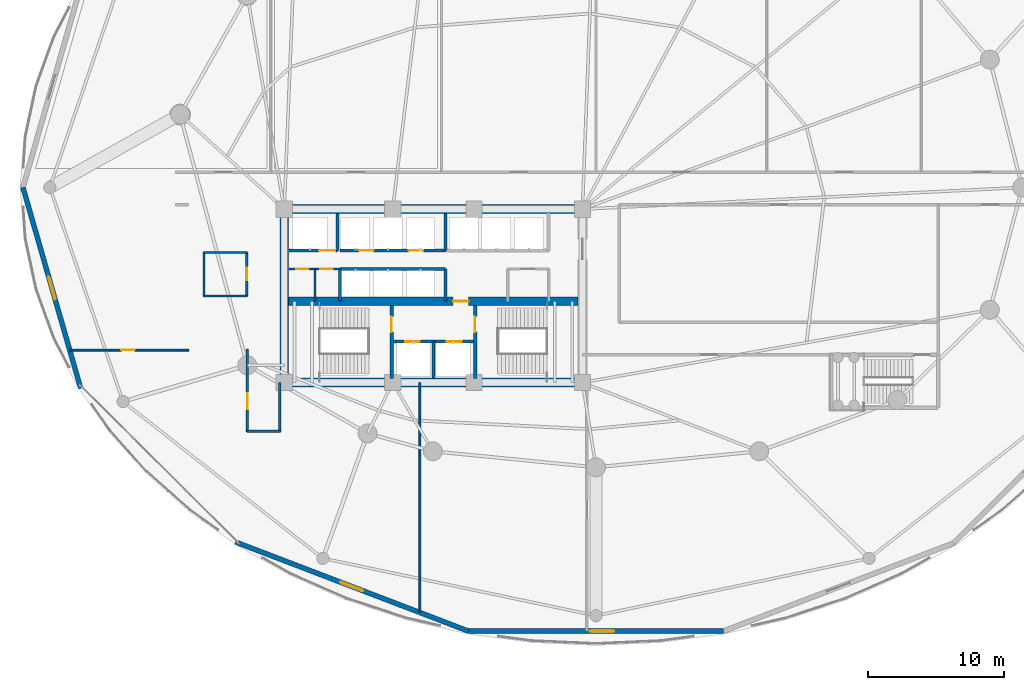
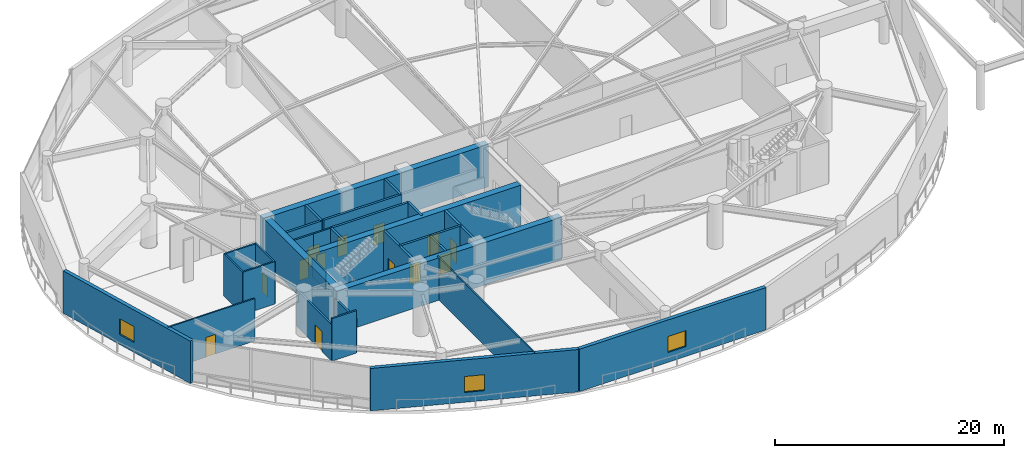
# One storey, part 27 of 36: 30 walls, 13 doors, 3 windows, 16 openings.
"""IFC4 building model written with IfcOpenShell, lengths in metres."""

from ifc_helpers import new_model, si_unit, direction, frame, frame_2d, origin, place, context, subcontext, project, spatial, rectangle, extrude, material, layer, layer_set, type_object, element, fill, save


model = new_model("IFC4")

# Units and contexts
model_context = context("Model", 3, precision=1e-05, world=origin(), true_north=direction((0.0, 1.0)))
body_context = subcontext(model_context, "Body", "Model", "MODEL_VIEW")
ifc_project = project(units=[si_unit("LENGTHUNIT", "METRE"), si_unit("AREAUNIT", "SQUARE_METRE"), si_unit("VOLUMEUNIT", "CUBIC_METRE"), si_unit("PLANEANGLEUNIT", "RADIAN"), si_unit("MASSUNIT", "GRAM", prefix="KILO")], contexts=[model_context])

# Site, building, storey
site_placement = place(None, origin())
site = spatial("IfcSite", under=ifc_project, at=site_placement, CompositionType="ELEMENT")
building_placement = place(site_placement, origin())
building = spatial("IfcBuilding", under=site, at=building_placement, Name="Kazevale Care Tower and Concert Hall", CompositionType="ELEMENT")
storey_placement = place(building_placement, frame((0.0, 0.0, 14.39990234375)))
storey = spatial("IfcBuildingStorey", under=building, at=storey_placement, Name="L03", CompositionType="ELEMENT", Elevation=14.39990234375)

# Wall, opening, door
ifc_material_1 = material(Name="Acoustic Gypsum on Steel Stud", Category="steel")
ifc_layer_1 = layer(ifc_material_1, 0.139892578125)
ifc_layer_set_1 = layer_set([ifc_layer_1], Name="Acoustic Gypsum on Steel Stud")
wall_type_1 = type_object("IfcWallType", Name="Acoustic Care & Suite Partition 140", PredefinedType="PARTITIONING", material=ifc_layer_set_1)
wall_1_placement = place(storey_placement, frame((6.1787109375, 26.0, 0.0), z_axis=(0.0, 0.0, 1.0), x_axis=(1.0, 0.0, 0.0)))
wall_1 = element("IfcWall", 1, at=wall_1_placement, inside=storey, type_object=wall_type_1, Name="wall:L03:auto_024", PredefinedType="PARTITIONING", context=body_context, shape_type="SweptSolid", body=[
    extrude(rectangle(XDim=8.76123046875, YDim=0.139892578125, at=frame_2d((4.380615234375, 0.0))), origin(), (0.0, 0.0, 1.0), 4.52001953125),
])
opening_1_placement = place(wall_1_placement, frame((3.800048828125, 0.0, 0.0)))
opening_1 = element("IfcOpeningElement", 2, at=opening_1_placement, cuts=wall_1, Name="Opening ID-1000", PredefinedType="OPENING", context=body_context, shape_type="SweptSolid", body=[
    extrude(rectangle(XDim=1.0, YDim=2.10009765625, at=frame_2d((0.5, 1.050048828125))), frame((0.0, 0.079833984375, 0.0), z_axis=(0.0, -1.0, 0.0), x_axis=(1.0, 0.0, 0.0)), (0.0, 0.0, 1.0), 0.159912109375),
])
ifc_material_2 = material(Name="Oak Timber Fire Leaf", Category="wood")
door_type_1 = type_object("IfcDoorType", Name="Suite & Room Door 1000x2100", OperationType="NOTDEFINED", PredefinedType="DOOR", material=ifc_material_2)
door_1_placement = place(opening_1_placement, origin())
door_1 = element("IfcDoor", 3, at=door_1_placement, inside=storey, type_object=door_type_1, Name="door:L03:ad_024", OperationType="SINGLE_SWING_LEFT", OverallHeight=2.10009765625, OverallWidth=1.0, PredefinedType="DOOR", context=body_context, shape_type="SweptSolid", body=[
    extrude(rectangle(XDim=1.0, YDim=2.10009765625, at=frame_2d((0.5, 1.050048828125))), frame((0.0, 0.02490234375, 0.0), z_axis=(0.0, -1.0, 0.0), x_axis=(1.0, 0.0, 0.0)), (0.0, 0.0, 1.0), 0.050048828125),
])
fill(opening_1, door_1)

# Walls
wall_2_placement = place(storey_placement, frame((32.0, 23.590087890625, 0.0), z_axis=(0.0, 0.0, 1.0), x_axis=(0.0, -1.0, 0.0)))
element("IfcWall", 4, at=wall_2_placement, inside=storey, type_object=wall_type_1, Name="wall:L03:auto_025", PredefinedType="PARTITIONING", context=body_context, shape_type="SweptSolid", body=[
    extrude(rectangle(XDim=16.9443359375, YDim=0.139892578125, at=frame_2d((8.47216796875, 0.0))), origin(), (0.0, 0.0, 1.0), 4.52001953125),
])
ifc_material_3 = material(Name="Concrete C70", Category="concrete")
ifc_layer_2 = layer(ifc_material_3, 0.64990234375)
ifc_layer_set_2 = layer_set([ifc_layer_2], Name="Concrete C70")
wall_type_2 = type_object("IfcWallType", Name="Core Shear Wall 650 C70", PredefinedType="SHEAR", material=ifc_layer_set_2)
for number, where, z_axis, x_axis, name in (
    (5, (21.675048828125, 23.60009765625, 0.0), (0.0, 0.0, 1.0), (1.0, 0.0, 0.0), "wall:L03:core:S"),
    (6, (21.675048828125, 36.39990234375, 0.0), (0.0, 0.0, 1.0), (1.0, 0.0, 0.0), "wall:L03:core:N"),
):
    element("IfcWall", number, at=place(storey_placement, frame(where, z_axis=z_axis, x_axis=x_axis)), inside=storey, type_object=wall_type_2, Name=name, PredefinedType="SHEAR", context=body_context, shape_type="SweptSolid", body=[
        extrude(rectangle(XDim=22.64990234375, YDim=0.64990234375, at=frame_2d((11.324951171875, 0.0))), origin(), (0.0, 0.0, 1.0), 4.52001953125),
    ])
wall_3_placement = place(storey_placement, frame((22.0, 23.925048828125, 0.0), z_axis=(0.0, 0.0, 1.0), x_axis=(0.0, 1.0, 0.0)))
element("IfcWall", 7, at=wall_3_placement, inside=storey, type_object=wall_type_2, Name="wall:L03:core:W", PredefinedType="SHEAR", context=body_context, shape_type="SweptSolid", body=[
    extrude(rectangle(XDim=12.14990234375, YDim=0.64990234375, at=frame_2d((6.074951171875, 0.0))), origin(), (0.0, 0.0, 1.0), 4.52001953125),
])

# Wall, opening, door
wall_4_placement = place(storey_placement, frame((22.324951171875, 29.60009765625, 0.0), z_axis=(0.0, 0.0, 1.0), x_axis=(1.0, 0.0, 0.0)))
wall_4 = element("IfcWall", 8, at=wall_4_placement, inside=storey, type_object=wall_type_2, Name="wall:L03:core:M", PredefinedType="SHEAR", context=body_context, shape_type="SweptSolid", body=[
    extrude(rectangle(XDim=21.35009765625, YDim=0.64990234375, at=frame_2d((10.675048828125, 0.0))), origin(), (0.0, 0.0, 1.0), 4.52001953125),
])
opening_2_placement = place(wall_4_placement, frame((12.125, 0.0, 0.0)))
opening_2 = element("IfcOpeningElement", 9, at=opening_2_placement, cuts=wall_4, Name="Opening FD-90", PredefinedType="OPENING", context=body_context, shape_type="SweptSolid", body=[
    extrude(rectangle(XDim=1.14990234375, YDim=2.10009765625, at=frame_2d((0.574951171875, 1.050048828125))), frame((0.0, 0.3349609375, 0.0), z_axis=(0.0, -1.0, 0.0), x_axis=(1.0, 0.0, 0.0)), (0.0, 0.0, 1.0), 0.669921875),
])
ifc_material_4 = material(Name="Steel ASTM A572 Gr 50", Category="steel")
door_type_2 = type_object("IfcDoorType", Name="Pressurized Stair & Lobby Fire Door 1150x2100", OperationType="NOTDEFINED", PredefinedType="DOOR", material=ifc_material_4)
door_2_placement = place(opening_2_placement, origin())
door_2 = element("IfcDoor", 10, at=door_2_placement, inside=storey, type_object=door_type_2, Name="door:L03:ff_to_pax", OperationType="SINGLE_SWING_LEFT", OverallHeight=2.10009765625, OverallWidth=1.14990234375, PredefinedType="DOOR", context=body_context, shape_type="SweptSolid", body=[
    extrude(rectangle(XDim=1.14990234375, YDim=2.10009765625, at=frame_2d((0.574951171875, 1.050048828125))), frame((0.0, 0.02490234375, 0.0), z_axis=(0.0, -1.0, 0.0), x_axis=(1.0, 0.0, 0.0)), (0.0, 0.0, 1.0), 0.050048828125),
])
fill(opening_2, door_2)

# Wall, openings, doors
ifc_material_5 = material(Name="Concrete C40", Category="concrete")
ifc_layer_3 = layer(ifc_material_5, 0.219970703125)
ifc_layer_set_3 = layer_set([ifc_layer_3], Name="Concrete C40")
wall_type_3 = type_object("IfcWallType", Name="Elevator Hoistway Shaft Wall 220", PredefinedType="SOLIDWALL", material=ifc_layer_set_3)
wall_5_placement = place(storey_placement, frame((29.919921875, 26.6201171875, 0.0), z_axis=(0.0, 0.0, 1.0), x_axis=(1.0, 0.0, 0.0)))
wall_5 = element("IfcWall", 11, at=wall_5_placement, inside=storey, type_object=wall_type_3, Name="wall:L03:c_ffl_n", PredefinedType="SOLIDWALL", context=body_context, shape_type="SweptSolid", body=[
    extrude(rectangle(XDim=6.16015625, YDim=0.219970703125, at=frame_2d((3.080078125, 0.0))), origin(), (0.0, 0.0, 1.0), 4.52001953125),
])
opening_3_placement = place(wall_5_placement, frame((0.989990234375, 0.0, 0.0)))
opening_3 = element("IfcOpeningElement", 12, at=opening_3_placement, cuts=wall_5, Name="Opening LD-FF", PredefinedType="OPENING", context=body_context, shape_type="SweptSolid", body=[
    extrude(rectangle(XDim=1.10009765625, YDim=2.10009765625, at=frame_2d((0.550048828125, 1.050048828125))), frame((0.0, 0.119873046875, 0.0), z_axis=(0.0, -1.0, 0.0), x_axis=(1.0, 0.0, 0.0)), (0.0, 0.0, 1.0), 0.239990234375),
])
opening_4_placement = place(wall_5_placement, frame((4.070068359375, 0.0, 0.0)))
opening_4 = element("IfcOpeningElement", 13, at=opening_4_placement, cuts=wall_5, Name="Opening LD-FF", PredefinedType="OPENING", context=body_context, shape_type="SweptSolid", body=[
    extrude(rectangle(XDim=1.10009765625, YDim=2.10009765625, at=frame_2d((0.550048828125, 1.050048828125))), frame((0.0, 0.119873046875, 0.0), z_axis=(0.0, -1.0, 0.0), x_axis=(1.0, 0.0, 0.0)), (0.0, 0.0, 1.0), 0.239990234375),
])
ifc_material_6 = material(Name="Stainless Steel 316", Category="steel")
door_type_3 = type_object("IfcDoorType", Name="Emergency Lift Sliding Landing Door 1100x2100", OperationType="NOTDEFINED", PredefinedType="DOOR", material=ifc_material_6)
door_3_placement = place(opening_3_placement, origin())
door_3 = element("IfcDoor", 14, at=door_3_placement, inside=storey, type_object=door_type_3, Name="door:L03:ld_ffl1", OperationType="SLIDING_TO_LEFT", OverallHeight=2.10009765625, OverallWidth=1.10009765625, PredefinedType="DOOR", context=body_context, shape_type="SweptSolid", body=[
    extrude(rectangle(XDim=1.10009765625, YDim=2.10009765625, at=frame_2d((0.550048828125, 1.050048828125))), frame((0.0, 0.02490234375, 0.0), z_axis=(0.0, -1.0, 0.0), x_axis=(1.0, 0.0, 0.0)), (0.0, 0.0, 1.0), 0.050048828125),
])
fill(opening_3, door_3)
door_4_placement = place(opening_4_placement, origin())
door_4 = element("IfcDoor", 15, at=door_4_placement, inside=storey, type_object=door_type_3, Name="door:L03:ld_ffl2", OperationType="SLIDING_TO_RIGHT", OverallHeight=2.10009765625, OverallWidth=1.10009765625, PredefinedType="DOOR", context=body_context, shape_type="SweptSolid", body=[
    extrude(rectangle(XDim=1.10009765625, YDim=2.10009765625, at=frame_2d((0.550048828125, 1.050048828125))), frame((0.0, 0.02490234375, 0.0), z_axis=(0.0, -1.0, 0.0), x_axis=(1.0, 0.0, 0.0)), (0.0, 0.0, 1.0), 0.050048828125),
])
fill(opening_4, door_4)

# Walls
wall_6_placement = place(storey_placement, frame((33.0, 23.89990234375, 0.0), z_axis=(0.0, 0.0, 1.0), x_axis=(0.0, 1.0, 0.0)))
element("IfcWall", 16, at=wall_6_placement, inside=storey, type_object=wall_type_3, Name="wall:L03:c_ffl_m", PredefinedType="SOLIDWALL", context=body_context, shape_type="SweptSolid", body=[
    extrude(rectangle(XDim=2.72021484375, YDim=0.219970703125, at=frame_2d((1.360107421875, 0.0))), origin(), (0.0, 0.0, 1.0), 4.52001953125),
])
wall_7_placement = place(storey_placement, frame((25.919921875, 33.35009765625, 0.0), z_axis=(0.0, 0.0, 1.0), x_axis=(0.0, 1.0, 0.0)))
element("IfcWall", 17, at=wall_7_placement, inside=storey, type_object=wall_type_3, Name="wall:L03:c_svl_e", PredefinedType="SOLIDWALL", context=body_context, shape_type="SweptSolid", body=[
    extrude(rectangle(XDim=2.72998046875, YDim=0.219970703125, at=frame_2d((1.364990234375, 0.0))), origin(), (0.0, 0.0, 1.0), 4.52001953125),
])

# Wall, opening, door
wall_8_placement = place(storey_placement, frame((22.35009765625, 33.35009765625, 0.0), z_axis=(0.0, 0.0, 1.0), x_axis=(1.0, 0.0, 0.0)))
wall_8 = element("IfcWall", 18, at=wall_8_placement, inside=storey, type_object=wall_type_3, Name="wall:L03:c_svl_s", PredefinedType="SOLIDWALL", context=body_context, shape_type="SweptSolid", body=[
    extrude(rectangle(XDim=3.56982421875, YDim=0.219970703125, at=frame_2d((1.784912109375, 0.0))), origin(), (0.0, 0.0, 1.0), 4.52001953125),
])
opening_5_placement = place(wall_8_placement, frame((2.212890625, 0.0, 0.0)))
opening_5 = element("IfcOpeningElement", 19, at=opening_5_placement, cuts=wall_8, Name="Opening LD-SV", PredefinedType="OPENING", context=body_context, shape_type="SweptSolid", body=[
    extrude(rectangle(XDim=1.199951171875, YDim=2.10009765625, at=frame_2d((0.60009765625, 1.050048828125))), frame((0.0, 0.119873046875, 0.0), z_axis=(0.0, -1.0, 0.0), x_axis=(1.0, 0.0, 0.0)), (0.0, 0.0, 1.0), 0.239990234375),
])
door_type_4 = type_object("IfcDoorType", Name="Service Lift Sliding Landing Door 1200x2100", OperationType="NOTDEFINED", PredefinedType="DOOR", material=ifc_material_6)
door_5_placement = place(opening_5_placement, origin())
door_5 = element("IfcDoor", 20, at=door_5_placement, inside=storey, type_object=door_type_4, Name="door:L03:ld_svl1", OperationType="SLIDING_TO_LEFT", OverallHeight=2.10009765625, OverallWidth=1.199951171875, PredefinedType="DOOR", context=body_context, shape_type="SweptSolid", body=[
    extrude(rectangle(XDim=1.199951171875, YDim=2.10009765625, at=frame_2d((0.60009765625, 1.050048828125))), frame((0.0, 0.02490234375, 0.0), z_axis=(0.0, -1.0, 0.0), x_axis=(1.0, 0.0, 0.0)), (0.0, 0.0, 1.0), 0.050048828125),
])
fill(opening_5, door_5)

# Walls
wall_9_placement = place(storey_placement, frame((26.10009765625, 29.6201171875, 0.0), z_axis=(0.0, 0.0, 1.0), x_axis=(0.0, 1.0, 0.0)))
element("IfcWall", 21, at=wall_9_placement, inside=storey, type_object=wall_type_3, Name="wall:L03:c_ph_w", PredefinedType="SOLIDWALL", context=body_context, shape_type="SweptSolid", body=[
    extrude(rectangle(XDim=2.35986328125, YDim=0.219970703125, at=frame_2d((1.179931640625, 0.0))), origin(), (0.0, 0.0, 1.0), 4.52001953125),
])
wall_10_placement = place(storey_placement, frame((26.10009765625, 31.97998046875, 0.0), z_axis=(0.0, 0.0, 1.0), x_axis=(1.0, 0.0, 0.0)))
element("IfcWall", 22, at=wall_10_placement, inside=storey, type_object=wall_type_3, Name="wall:L03:c_ph_n", PredefinedType="SOLIDWALL", context=body_context, shape_type="SweptSolid", body=[
    extrude(rectangle(XDim=7.7998046875, YDim=0.219970703125, at=frame_2d((3.89990234375, 0.0))), origin(), (0.0, 0.0, 1.0), 4.52001953125),
])
wall_11_placement = place(storey_placement, frame((33.89990234375, 29.6201171875, 0.0), z_axis=(0.0, 0.0, 1.0), x_axis=(0.0, 1.0, 0.0)))
element("IfcWall", 23, at=wall_11_placement, inside=storey, type_object=wall_type_3, Name="wall:L03:c_ph_e", PredefinedType="SOLIDWALL", context=body_context, shape_type="SweptSolid", body=[
    extrude(rectangle(XDim=2.35986328125, YDim=0.219970703125, at=frame_2d((1.179931640625, 0.0))), origin(), (0.0, 0.0, 1.0), 4.52001953125),
])

# Wall, openings, doors
wall_12_placement = place(storey_placement, frame((26.10009765625, 33.35009765625, 0.0), z_axis=(0.0, 0.0, 1.0), x_axis=(1.0, 0.0, 0.0)))
wall_12 = element("IfcWall", 24, at=wall_12_placement, inside=storey, type_object=wall_type_3, Name="wall:L03:c_pl_s", PredefinedType="SOLIDWALL", context=body_context, shape_type="SweptSolid", body=[
    extrude(rectangle(XDim=7.7998046875, YDim=0.219970703125, at=frame_2d((3.89990234375, 0.0))), origin(), (0.0, 0.0, 1.0), 4.52001953125),
])
opening_6_placement = place(wall_12_placement, frame((1.39990234375, 0.0, 0.0)))
opening_6 = element("IfcOpeningElement", 25, at=opening_6_placement, cuts=wall_12, Name="Opening LD-PAX", PredefinedType="OPENING", context=body_context, shape_type="SweptSolid", body=[
    extrude(rectangle(XDim=1.10009765625, YDim=2.10009765625, at=frame_2d((0.550048828125, 1.050048828125))), frame((0.0, 0.119873046875, 0.0), z_axis=(0.0, -1.0, 0.0), x_axis=(1.0, 0.0, 0.0)), (0.0, 0.0, 1.0), 0.239990234375),
])
opening_7_placement = place(wall_12_placement, frame((5.06591796875, 0.0, 0.0)))
opening_7 = element("IfcOpeningElement", 26, at=opening_7_placement, cuts=wall_12, Name="Opening LD-PAX", PredefinedType="OPENING", context=body_context, shape_type="SweptSolid", body=[
    extrude(rectangle(XDim=1.10009765625, YDim=2.10009765625, at=frame_2d((0.550048828125, 1.050048828125))), frame((0.0, 0.119873046875, 0.0), z_axis=(0.0, -1.0, 0.0), x_axis=(1.0, 0.0, 0.0)), (0.0, 0.0, 1.0), 0.239990234375),
])
door_type_5 = type_object("IfcDoorType", Name="Passenger Lift Sliding Landing Door 1100x2100", OperationType="NOTDEFINED", PredefinedType="DOOR", material=ifc_material_6)
door_6_placement = place(opening_6_placement, origin())
door_6 = element("IfcDoor", 27, at=door_6_placement, inside=storey, type_object=door_type_5, Name="door:L03:ld_pl1", OperationType="SLIDING_TO_LEFT", OverallHeight=2.10009765625, OverallWidth=1.10009765625, PredefinedType="DOOR", context=body_context, shape_type="SweptSolid", body=[
    extrude(rectangle(XDim=1.10009765625, YDim=2.10009765625, at=frame_2d((0.550048828125, 1.050048828125))), frame((0.0, 0.02490234375, 0.0), z_axis=(0.0, -1.0, 0.0), x_axis=(1.0, 0.0, 0.0)), (0.0, 0.0, 1.0), 0.050048828125),
])
fill(opening_6, door_6)
door_7_placement = place(opening_7_placement, origin())
door_7 = element("IfcDoor", 28, at=door_7_placement, inside=storey, type_object=door_type_5, Name="door:L03:ld_pl2", OperationType="SLIDING_TO_RIGHT", OverallHeight=2.10009765625, OverallWidth=1.10009765625, PredefinedType="DOOR", context=body_context, shape_type="SweptSolid", body=[
    extrude(rectangle(XDim=1.10009765625, YDim=2.10009765625, at=frame_2d((0.550048828125, 1.050048828125))), frame((0.0, 0.02490234375, 0.0), z_axis=(0.0, -1.0, 0.0), x_axis=(1.0, 0.0, 0.0)), (0.0, 0.0, 1.0), 0.050048828125),
])
fill(opening_7, door_7)

# Wall
wall_13_placement = place(storey_placement, frame((33.89990234375, 33.35009765625, 0.0), z_axis=(0.0, 0.0, 1.0), x_axis=(0.0, 1.0, 0.0)))
element("IfcWall", 29, at=wall_13_placement, inside=storey, type_object=wall_type_3, Name="wall:L03:c_pl_e", PredefinedType="SOLIDWALL", context=body_context, shape_type="SweptSolid", body=[
    extrude(rectangle(XDim=2.72998046875, YDim=0.219970703125, at=frame_2d((1.364990234375, 0.0))), origin(), (0.0, 0.0, 1.0), 4.52001953125),
])

# Wall, opening, door
ifc_material_7 = material(Name="Concrete C40 and Acoustic Gypsum", Category="concrete")
ifc_layer_4 = layer(ifc_material_7, 0.179931640625)
ifc_layer_set_4 = layer_set([ifc_layer_4], Name="Concrete C40 and Acoustic Gypsum")
wall_type_4 = type_object("IfcWallType", Name="Fire-Rated Corridor & Party Wall 180", PredefinedType="PARTITIONING", material=ifc_layer_set_4)
wall_14_placement = place(storey_placement, frame((22.35009765625, 31.97998046875, 0.0), z_axis=(0.0, 0.0, 1.0), x_axis=(1.0, 0.0, 0.0)))
wall_14 = element("IfcWall", 30, at=wall_14_placement, inside=storey, type_object=wall_type_4, Name="wall:L03:kb_wn0", PredefinedType="PARTITIONING", context=body_context, shape_type="SweptSolid", body=[
    extrude(rectangle(XDim=1.909912109375, YDim=0.179931640625, at=frame_2d((0.955078125, 0.0))), origin(), (0.0, 0.0, 1.0), 4.52001953125),
])
opening_8_placement = place(wall_14_placement, frame((0.514892578125, 0.0, 0.0)))
opening_8 = element("IfcOpeningElement", 31, at=opening_8_placement, cuts=wall_14, Name="Opening ID-900", PredefinedType="OPENING", context=body_context, shape_type="SweptSolid", body=[
    extrude(rectangle(XDim=0.919921875, YDim=2.10009765625, at=frame_2d((0.4599609375, 1.050048828125))), frame((0.0, 0.099853515625, 0.0), z_axis=(0.0, -1.0, 0.0), x_axis=(1.0, 0.0, 0.0)), (0.0, 0.0, 1.0), 0.199951171875),
])
door_type_6 = type_object("IfcDoorType", Name="Bathroom & Service Door 920x2100", OperationType="NOTDEFINED", PredefinedType="DOOR", material=ifc_material_2)
door_8_placement = place(opening_8_placement, origin())
door_8 = element("IfcDoor", 32, at=door_8_placement, inside=storey, type_object=door_type_6, Name="door:L03:d_kbw1", OperationType="SINGLE_SWING_LEFT", OverallHeight=2.10009765625, OverallWidth=0.919921875, PredefinedType="DOOR", context=body_context, shape_type="SweptSolid", body=[
    extrude(rectangle(XDim=0.919921875, YDim=2.10009765625, at=frame_2d((0.4599609375, 1.050048828125))), frame((0.0, 0.02490234375, 0.0), z_axis=(0.0, -1.0, 0.0), x_axis=(1.0, 0.0, 0.0)), (0.0, 0.0, 1.0), 0.050048828125),
])
fill(opening_8, door_8)

wall_15_placement = place(storey_placement, frame((19.27490234375, 19.969970703125, 0.0), z_axis=(0.0, 0.0, 1.0), x_axis=(0.0, 1.0, 0.0)))
wall_15 = element("IfcWall", 33, at=wall_15_placement, inside=storey, type_object=wall_type_4, Name="wall:L03:auto_013", PredefinedType="PARTITIONING", context=body_context, shape_type="SweptSolid", body=[
    extrude(rectangle(XDim=6.094970703125, YDim=0.179931640625, at=frame_2d((3.04736328125, 0.0))), origin(), (0.0, 0.0, 1.0), 3.898193359375),
])
opening_9_placement = place(wall_15_placement, frame((1.64697265625, 0.0, 0.0)))
opening_9 = element("IfcOpeningElement", 34, at=opening_9_placement, cuts=wall_15, Name="Opening ID-1200", PredefinedType="OPENING", context=body_context, shape_type="SweptSolid", body=[
    extrude(rectangle(XDim=1.199951171875, YDim=2.14990234375, at=frame_2d((0.60009765625, 1.074951171875))), frame((0.0, 0.099853515625, 0.0), z_axis=(0.0, -1.0, 0.0), x_axis=(1.0, 0.0, 0.0)), (0.0, 0.0, 1.0), 0.199951171875),
])
door_type_7 = type_object("IfcDoorType", Name="Clinical & Therapy Door 1200x2150", OperationType="NOTDEFINED", PredefinedType="DOOR", material=ifc_material_2)
door_9_placement = place(opening_9_placement, origin())
door_9 = element("IfcDoor", 35, at=door_9_placement, inside=storey, type_object=door_type_7, Name="door:L03:ad_013", OperationType="SINGLE_SWING_LEFT", OverallHeight=2.14990234375, OverallWidth=1.199951171875, PredefinedType="DOOR", context=body_context, shape_type="SweptSolid", body=[
    extrude(rectangle(XDim=1.199951171875, YDim=2.14990234375, at=frame_2d((0.60009765625, 1.074951171875))), frame((0.0, 0.02490234375, 0.0), z_axis=(0.0, -1.0, 0.0), x_axis=(1.0, 0.0, 0.0)), (0.0, 0.0, 1.0), 0.050048828125),
])
fill(opening_9, door_9)

# Walls
wall_16_placement = place(storey_placement, frame((21.675048828125, 23.590087890625, 0.0), z_axis=(0.0, 0.0, 1.0), x_axis=(0.0, -1.0, 0.0)))
element("IfcWall", 36, at=wall_16_placement, inside=storey, type_object=wall_type_4, Name="wall:L03:auto_014", PredefinedType="PARTITIONING", context=body_context, shape_type="SweptSolid", body=[
    extrude(rectangle(XDim=3.6201171875, YDim=0.179931640625, at=frame_2d((1.81005859375, 0.0))), origin(), (0.0, 0.0, 1.0), 3.66015625),
])
wall_17_placement = place(storey_placement, frame((21.705078125, 20.0, 0.0), z_axis=(0.0, 0.0, 1.0), x_axis=(-1.0, 0.0, 0.0)))
element("IfcWall", 37, at=wall_17_placement, inside=storey, type_object=wall_type_4, Name="wall:L03:auto_015", PredefinedType="PARTITIONING", context=body_context, shape_type="SweptSolid", body=[
    extrude(rectangle(XDim=2.4599609375, YDim=0.179931640625, at=frame_2d((1.22998046875, 0.0))), origin(), (0.0, 0.0, 1.0), 4.52001953125),
])
ifc_layer_5 = layer(ifc_material_1, 0.159912109375)
ifc_layer_set_5 = layer_set([ifc_layer_5], Name="Acoustic Gypsum on Steel Stud")
wall_type_5 = type_object("IfcWallType", Name="Moisture-Resistant Bathroom Plumbing Wall 160", PredefinedType="PLUMBINGWALL", material=ifc_layer_set_5)
wall_18_placement = place(storey_placement, frame((24.260009765625, 29.6201171875, 0.0), z_axis=(0.0, 0.0, 1.0), x_axis=(0.0, 1.0, 0.0)))
element("IfcWall", 38, at=wall_18_placement, inside=storey, type_object=wall_type_5, Name="wall:L03:kb_we1", PredefinedType="PLUMBINGWALL", context=body_context, shape_type="SweptSolid", body=[
    extrude(rectangle(XDim=2.35986328125, YDim=0.159912109375, at=frame_2d((1.179931640625, 0.0))), origin(), (0.0, 0.0, 1.0), 1.88720703125),
])

# Wall, opening, door
wall_19_placement = place(storey_placement, frame((24.260009765625, 31.97998046875, 0.0), z_axis=(0.0, 0.0, 1.0), x_axis=(1.0, 0.0, 0.0)))
wall_19 = element("IfcWall", 39, at=wall_19_placement, inside=storey, type_object=wall_type_5, Name="wall:L03:kb_wn1", PredefinedType="PLUMBINGWALL", context=body_context, shape_type="SweptSolid", body=[
    extrude(rectangle(XDim=1.840087890625, YDim=0.159912109375, at=frame_2d((0.919921875, 0.0))), origin(), (0.0, 0.0, 1.0), 4.52001953125),
])
opening_10_placement = place(wall_19_placement, frame((0.387939453125, 0.0, 0.0)))
opening_10 = element("IfcOpeningElement", 40, at=opening_10_placement, cuts=wall_19, Name="Opening ID-900", PredefinedType="OPENING", context=body_context, shape_type="SweptSolid", body=[
    extrude(rectangle(XDim=0.919921875, YDim=2.10009765625, at=frame_2d((0.4599609375, 1.050048828125))), frame((0.0, 0.08984375, 0.0), z_axis=(0.0, -1.0, 0.0), x_axis=(1.0, 0.0, 0.0)), (0.0, 0.0, 1.0), 0.179931640625),
])
door_10_placement = place(opening_10_placement, origin())
door_10 = element("IfcDoor", 41, at=door_10_placement, inside=storey, type_object=door_type_6, Name="door:L03:d_kbw2", OperationType="SINGLE_SWING_RIGHT", OverallHeight=2.10009765625, OverallWidth=0.919921875, PredefinedType="DOOR", context=body_context, shape_type="SweptSolid", body=[
    extrude(rectangle(XDim=0.919921875, YDim=2.10009765625, at=frame_2d((0.4599609375, 1.050048828125))), frame((0.0, 0.02490234375, 0.0), z_axis=(0.0, -1.0, 0.0), x_axis=(1.0, 0.0, 0.0)), (0.0, 0.0, 1.0), 0.050048828125),
])
fill(opening_10, door_10)

# Walls
for number, where, z_axis, x_axis, name in (
    (42, (16.034912109375, 30.0, 0.0), (0.0, 0.0, 1.0), (1.0, 0.0, 0.0), "wall:L03:pod_sw_wc_ws"),
    (43, (16.034912109375, 33.199951171875, 0.0), (0.0, 0.0, 1.0), (1.0, 0.0, 0.0), "wall:L03:pod_sw_wc_wn"),
):
    element("IfcWall", number, at=place(storey_placement, frame(where, z_axis=z_axis, x_axis=x_axis)), inside=storey, type_object=wall_type_5, Name=name, PredefinedType="PLUMBINGWALL", context=body_context, shape_type="SweptSolid", body=[
        extrude(rectangle(XDim=3.22998046875, YDim=0.159912109375, at=frame_2d((1.614990234375, 0.0))), origin(), (0.0, 0.0, 1.0), 4.52001953125),
    ])
wall_20_placement = place(storey_placement, frame((16.074951171875, 29.9599609375, 0.0), z_axis=(0.0, 0.0, 1.0), x_axis=(0.0, 1.0, 0.0)))
element("IfcWall", 44, at=wall_20_placement, inside=storey, type_object=wall_type_5, Name="wall:L03:pod_sw_wc_ww", PredefinedType="PLUMBINGWALL", context=body_context, shape_type="SweptSolid", body=[
    extrude(rectangle(XDim=3.280029296875, YDim=0.159912109375, at=frame_2d((1.64013671875, 0.0))), origin(), (0.0, 0.0, 1.0), 4.52001953125),
])

# Wall, opening, door
wall_21_placement = place(storey_placement, frame((19.22509765625, 29.9599609375, 0.0), z_axis=(0.0, 0.0, 1.0), x_axis=(0.0, 1.0, 0.0)))
wall_21 = element("IfcWall", 45, at=wall_21_placement, inside=storey, type_object=wall_type_5, Name="wall:L03:pod_sw_wc_we", PredefinedType="PLUMBINGWALL", context=body_context, shape_type="SweptSolid", body=[
    extrude(rectangle(XDim=3.280029296875, YDim=0.159912109375, at=frame_2d((1.64013671875, 0.0))), origin(), (0.0, 0.0, 1.0), 4.52001953125),
])
opening_11_placement = place(wall_21_placement, frame((1.18994140625, 0.0, 0.0)))
opening_11 = element("IfcOpeningElement", 46, at=opening_11_placement, cuts=wall_21, Name="Opening ID-900", PredefinedType="OPENING", context=body_context, shape_type="SweptSolid", body=[
    extrude(rectangle(XDim=0.919921875, YDim=2.10009765625, at=frame_2d((0.4599609375, 1.050048828125))), frame((0.0, 0.08984375, 0.0), z_axis=(0.0, -1.0, 0.0), x_axis=(1.0, 0.0, 0.0)), (0.0, 0.0, 1.0), 0.179931640625),
])
door_11_placement = place(opening_11_placement, origin())
door_11 = element("IfcDoor", 47, at=door_11_placement, inside=storey, type_object=door_type_6, Name="door:L03:pod_sw_wc_d", OperationType="SINGLE_SWING_LEFT", OverallHeight=2.10009765625, OverallWidth=0.919921875, PredefinedType="DOOR", context=body_context, shape_type="SweptSolid", body=[
    extrude(rectangle(XDim=0.919921875, YDim=2.10009765625, at=frame_2d((0.4599609375, 1.050048828125))), frame((0.0, 0.02490234375, 0.0), z_axis=(0.0, -1.0, 0.0), x_axis=(1.0, 0.0, 0.0)), (0.0, 0.0, 1.0), 0.050048828125),
])
fill(opening_11, door_11)

# Wall, opening, window
ifc_material_8 = material(Name="Concrete C40 with Honed Limestone Cladding", Category="masonry")
ifc_layer_6 = layer(ifc_material_8, 0.360107421875)
ifc_layer_set_6 = layer_set([ifc_layer_6], Name="Concrete C40 with Honed Limestone Cladding")
wall_type_6 = type_object("IfcWallType", Name="Podium Insulated Limestone Wall 360", PredefinedType="STANDARD", material=ifc_layer_set_6)
wall_22_placement = place(storey_placement, frame((2.719970703125, 38.0, 0.0), z_axis=(0.0, 0.0, 1.0), x_axis=(0.276203409751, -0.961099202186, 0.0)))
wall_22 = element("IfcWall", 48, at=wall_22_placement, inside=storey, type_object=wall_type_6, Name="wall:L03:podew:08", PredefinedType="STANDARD", context=body_context, shape_type="SweptSolid", body=[
    extrude(rectangle(XDim=15.419921875, YDim=0.360107421875, at=frame_2d((7.7099609375, 0.0))), origin(), (0.0, 0.0, 1.0), 4.52001953125),
])
opening_12_placement = place(wall_22_placement, frame((6.81005859375, 0.0, 1.050048828125)))
opening_12 = element("IfcOpeningElement", 49, at=opening_12_placement, cuts=wall_22, Name="Opening WIN-2", PredefinedType="OPENING", context=body_context, shape_type="SweptSolid", body=[
    extrude(rectangle(XDim=1.800048828125, YDim=1.699951171875, at=frame_2d((0.89990234375, 0.85009765625))), frame((0.0, 0.18994140625, 0.0), z_axis=(0.0, -1.0, 0.0), x_axis=(1.0, 0.0, 0.0)), (0.0, 0.0, 1.0), 0.380126953125),
])
ifc_material_9 = material(Name="Low-E Laminated Glass", Category="glass")
window_type = type_object("IfcWindowType", Name="Clinical Punched Window 1800x1700", PartitioningType="DOUBLE_PANEL_VERTICAL", PredefinedType="WINDOW", material=ifc_material_9)
window_1_placement = place(opening_12_placement, origin())
window_1 = element("IfcWindow", 50, at=window_1_placement, inside=storey, type_object=window_type, Name="win:L03:pod:08", OverallHeight=1.699951171875, OverallWidth=1.800048828125, PartitioningType="SINGLE_PANEL", PredefinedType="WINDOW", context=body_context, shape_type="SweptSolid", body=[
    extrude(rectangle(XDim=1.800048828125, YDim=1.699951171875, at=frame_2d((0.89990234375, 0.85009765625))), frame((0.0, 0.030029296875, 0.0), z_axis=(0.0, -1.0, 0.0), x_axis=(1.0, 0.0, 0.0)), (0.0, 0.0, 1.0), 0.06005859375),
])
fill(opening_12, window_1)

wall_23_placement = place(storey_placement, frame((18.39599609375, 11.839111328125, 0.0), z_axis=(0.0, 0.0, 1.0), x_axis=(0.934012147289, -0.357241247221, 0.0)))
wall_23 = element("IfcWall", 51, at=wall_23_placement, inside=storey, type_object=wall_type_6, Name="wall:L03:podew:10", PredefinedType="STANDARD", context=body_context, shape_type="SweptSolid", body=[
    extrude(rectangle(XDim=18.410888671875, YDim=0.360107421875, at=frame_2d((9.20556640625, 0.0))), origin(), (0.0, 0.0, 1.0), 4.52001953125),
])
opening_13_placement = place(wall_23_placement, frame((8.304931640625, 0.0, 1.050048828125)))
opening_13 = element("IfcOpeningElement", 52, at=opening_13_placement, cuts=wall_23, Name="Opening WIN-2", PredefinedType="OPENING", context=body_context, shape_type="SweptSolid", body=[
    extrude(rectangle(XDim=1.800048828125, YDim=1.699951171875, at=frame_2d((0.89990234375, 0.85009765625))), frame((0.0, 0.18994140625, 0.0), z_axis=(0.0, -1.0, 0.0), x_axis=(1.0, 0.0, 0.0)), (0.0, 0.0, 1.0), 0.380126953125),
])
window_2_placement = place(opening_13_placement, origin())
window_2 = element("IfcWindow", 53, at=window_2_placement, inside=storey, type_object=window_type, Name="win:L03:pod:10", OverallHeight=1.699951171875, OverallWidth=1.800048828125, PartitioningType="SINGLE_PANEL", PredefinedType="WINDOW", context=body_context, shape_type="SweptSolid", body=[
    extrude(rectangle(XDim=1.800048828125, YDim=1.699951171875, at=frame_2d((0.89990234375, 0.85009765625))), frame((0.0, 0.030029296875, 0.0), z_axis=(0.0, -1.0, 0.0), x_axis=(1.0, 0.0, 0.0)), (0.0, 0.0, 1.0), 0.06005859375),
])
fill(opening_13, window_2)

wall_24_placement = place(storey_placement, frame((35.592041015625, 5.261962890625, 0.0), z_axis=(0.0, 0.0, 1.0), x_axis=(1.0, 0.0, 0.0)))
wall_24 = element("IfcWall", 54, at=wall_24_placement, inside=storey, type_object=wall_type_6, Name="wall:L03:podew:11", PredefinedType="STANDARD", context=body_context, shape_type="SweptSolid", body=[
    extrude(rectangle(XDim=18.81591796875, YDim=0.360107421875, at=frame_2d((9.407958984375, 0.0))), origin(), (0.0, 0.0, 1.0), 4.52001953125),
])
opening_14_placement = place(wall_24_placement, frame((8.947998046875, 0.0, 1.050048828125)))
opening_14 = element("IfcOpeningElement", 55, at=opening_14_placement, cuts=wall_24, Name="Opening WIN-2", PredefinedType="OPENING", context=body_context, shape_type="SweptSolid", body=[
    extrude(rectangle(XDim=1.800048828125, YDim=1.699951171875, at=frame_2d((0.89990234375, 0.85009765625))), frame((0.0, 0.18994140625, 0.0), z_axis=(0.0, -1.0, 0.0), x_axis=(1.0, 0.0, 0.0)), (0.0, 0.0, 1.0), 0.380126953125),
])
window_3_placement = place(opening_14_placement, origin())
window_3 = element("IfcWindow", 56, at=window_3_placement, inside=storey, type_object=window_type, Name="win:L03:pod:11", OverallHeight=1.699951171875, OverallWidth=1.800048828125, PartitioningType="SINGLE_PANEL", PredefinedType="WINDOW", context=body_context, shape_type="SweptSolid", body=[
    extrude(rectangle(XDim=1.800048828125, YDim=1.699951171875, at=frame_2d((0.89990234375, 0.85009765625))), frame((0.0, 0.030029296875, 0.0), z_axis=(0.0, -1.0, 0.0), x_axis=(1.0, 0.0, 0.0)), (0.0, 0.0, 1.0), 0.06005859375),
])
fill(opening_14, window_3)

# Wall, opening, door
ifc_layer_7 = layer(ifc_material_5, 0.25)
ifc_layer_set_7 = layer_set([ifc_layer_7], Name="Concrete C40")
wall_type_7 = type_object("IfcWallType", Name="Pressurized Stair Shaft Wall 250", PredefinedType="SOLIDWALL", material=ifc_layer_set_7)
wall_25_placement = place(storey_placement, frame((29.919921875, 23.89990234375, 0.0), z_axis=(0.0, 0.0, 1.0), x_axis=(0.0, 1.0, 0.0)))
wall_25 = element("IfcWall", 57, at=wall_25_placement, inside=storey, type_object=wall_type_7, Name="wall:L03:c_st1_e", PredefinedType="SOLIDWALL", context=body_context, shape_type="SweptSolid", body=[
    extrude(rectangle(XDim=5.400146484375, YDim=0.25, at=frame_2d((2.7001953125, 0.0))), origin(), (0.0, 0.0, 1.0), 4.52001953125),
])
opening_15_placement = place(wall_25_placement, frame((3.4208984375, 0.0, 0.0)))
opening_15 = element("IfcOpeningElement", 58, at=opening_15_placement, cuts=wall_25, Name="Opening FD-90", PredefinedType="OPENING", context=body_context, shape_type="SweptSolid", body=[
    extrude(rectangle(XDim=1.14990234375, YDim=2.10009765625, at=frame_2d((0.574951171875, 1.050048828125))), frame((0.0, 0.135009765625, 0.0), z_axis=(0.0, -1.0, 0.0), x_axis=(1.0, 0.0, 0.0)), (0.0, 0.0, 1.0), 0.27001953125),
])
door_12_placement = place(opening_15_placement, origin())
door_12 = element("IfcDoor", 59, at=door_12_placement, inside=storey, type_object=door_type_2, Name="door:L03:st1", OperationType="SINGLE_SWING_RIGHT", OverallHeight=2.10009765625, OverallWidth=1.14990234375, PredefinedType="DOOR", context=body_context, shape_type="SweptSolid", body=[
    extrude(rectangle(XDim=1.14990234375, YDim=2.10009765625, at=frame_2d((0.574951171875, 1.050048828125))), frame((0.0, 0.02490234375, 0.0), z_axis=(0.0, -1.0, 0.0), x_axis=(1.0, 0.0, 0.0)), (0.0, 0.0, 1.0), 0.050048828125),
])
fill(opening_15, door_12)

wall_26_placement = place(storey_placement, frame((36.080078125, 23.89990234375, 0.0), z_axis=(0.0, 0.0, 1.0), x_axis=(0.0, 1.0, 0.0)))
wall_26 = element("IfcWall", 60, at=wall_26_placement, inside=storey, type_object=wall_type_7, Name="wall:L03:c_st2_w", PredefinedType="SOLIDWALL", context=body_context, shape_type="SweptSolid", body=[
    extrude(rectangle(XDim=5.400146484375, YDim=0.25, at=frame_2d((2.7001953125, 0.0))), origin(), (0.0, 0.0, 1.0), 4.52001953125),
])
opening_16_placement = place(wall_26_placement, frame((3.4208984375, 0.0, 0.0)))
opening_16 = element("IfcOpeningElement", 61, at=opening_16_placement, cuts=wall_26, Name="Opening FD-90", PredefinedType="OPENING", context=body_context, shape_type="SweptSolid", body=[
    extrude(rectangle(XDim=1.14990234375, YDim=2.10009765625, at=frame_2d((0.574951171875, 1.050048828125))), frame((0.0, 0.135009765625, 0.0), z_axis=(0.0, -1.0, 0.0), x_axis=(1.0, 0.0, 0.0)), (0.0, 0.0, 1.0), 0.27001953125),
])
door_13_placement = place(opening_16_placement, origin())
door_13 = element("IfcDoor", 62, at=door_13_placement, inside=storey, type_object=door_type_2, Name="door:L03:st2", OperationType="SINGLE_SWING_LEFT", OverallHeight=2.10009765625, OverallWidth=1.14990234375, PredefinedType="DOOR", context=body_context, shape_type="SweptSolid", body=[
    extrude(rectangle(XDim=1.14990234375, YDim=2.10009765625, at=frame_2d((0.574951171875, 1.050048828125))), frame((0.0, 0.02490234375, 0.0), z_axis=(0.0, -1.0, 0.0), x_axis=(1.0, 0.0, 0.0)), (0.0, 0.0, 1.0), 0.050048828125),
])
fill(opening_16, door_13)

save(model, "model.ifc")
